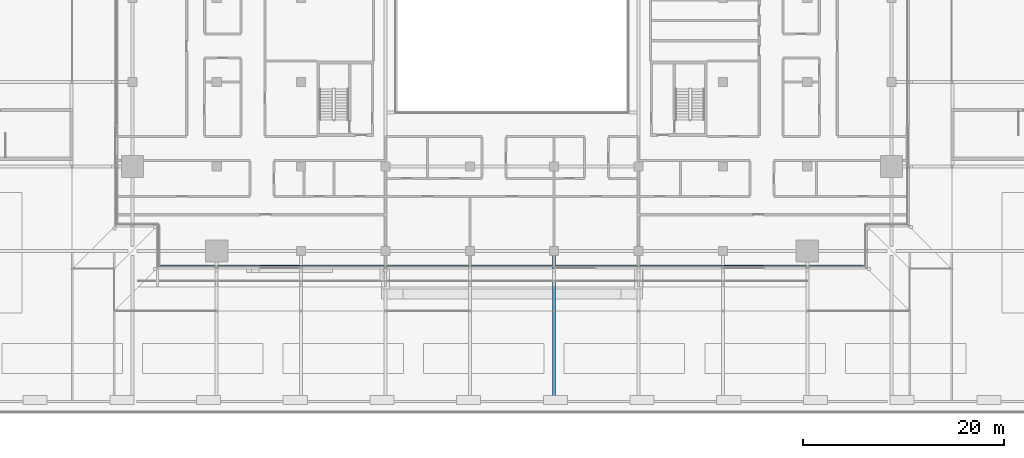
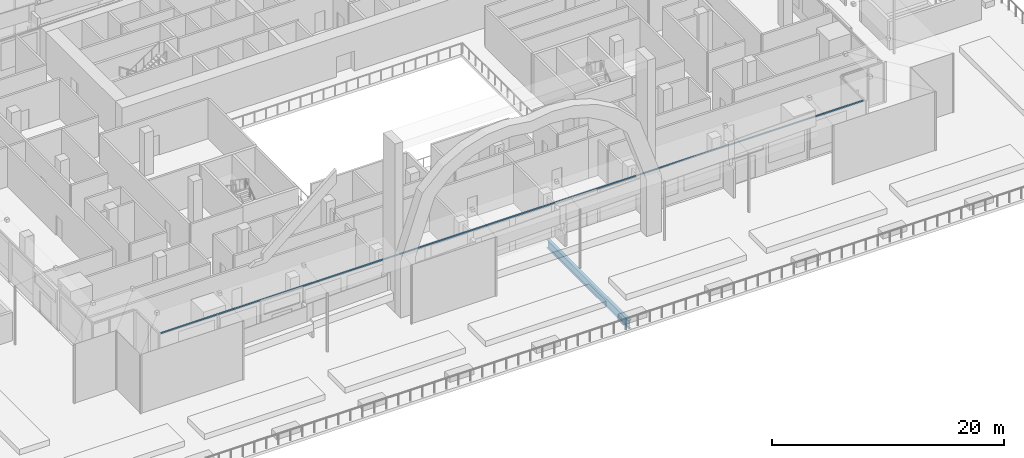
# One storey, part 5 of 60: 1 beam, 1 member, 1 element without a shape of its own.
"""IFC4 building model written with IfcOpenShell, lengths in metres."""

from ifc_helpers import new_model, si_unit, direction, frame, origin, origin_2d, place, context, subcontext, project, spatial, rectangle, i_section, extrude, material, material_profile, profile_set, type_object, element, aggregate, save


model = new_model("IFC4")

# Units and contexts
model_context = context("Model", 3, precision=1e-05, world=origin(), true_north=direction((0.0, 1.0)))
body_context = subcontext(model_context, "Body", "Model", "MODEL_VIEW")
ifc_project = project(units=[si_unit("LENGTHUNIT", "METRE"), si_unit("AREAUNIT", "SQUARE_METRE"), si_unit("VOLUMEUNIT", "CUBIC_METRE"), si_unit("PLANEANGLEUNIT", "RADIAN"), si_unit("MASSUNIT", "GRAM", prefix="KILO")], contexts=[model_context])

# Site, building, storey
site_placement = place(None, origin())
site = spatial("IfcSite", under=ifc_project, at=site_placement, CompositionType="ELEMENT")
building_placement = place(site_placement, origin())
building = spatial("IfcBuilding", under=site, at=building_placement, Name="Saffron Gate Tower", CompositionType="ELEMENT")
storey_placement = place(building_placement, frame((0.0, 0.0, 19.199951171875)))
storey = spatial("IfcBuildingStorey", under=building, at=storey_placement, Name="L03", CompositionType="ELEMENT", Elevation=19.199951171875)

# Beam
ifc_material_1 = material(Name="Structural steel S355", Category="steel")
ifc_material_profile_1 = material_profile(ifc_material_1, i_section(OverallWidth=0.300048828125, OverallDepth=0.889892578125, WebThickness=0.01611328125, FlangeThickness=0.030029296875, FilletRadius=0.030029296875, at=origin_2d()))
ifc_profile_set_1 = profile_set([ifc_material_profile_1], Name="Structural steel S355")
beam_type = type_object("IfcBeamType", Name="B19 HEA 900", PredefinedType="BEAM", material=ifc_profile_set_1)
beam_placement = place(storey_placement, frame((91.800048828125, 17.199951171875, -0.744873046875), z_axis=(0.0, 1.0, 0.0), x_axis=(-1.0, 0.0, 0.0)))
element("IfcBeam", 1, at=beam_placement, inside=storey, type_object=beam_type, Name="B19 PODIUM RING GIRDER", PredefinedType="BEAM", context=body_context, shape_type="SweptSolid", body=[
    extrude(i_section(OverallWidth=0.300048828125, OverallDepth=0.889892578125, WebThickness=0.01611328125, FlangeThickness=0.030029296875, FilletRadius=0.030029296875, at=origin_2d()), origin(), (0.0, 0.0, 1.0), 14.150146484375),
])

# Curtain wall, member
ifc_material_2 = material(Name="Aluminium, bronze anodised", Category="aluminium")
curtain_wall_type = type_object("IfcCurtainWallType", Name="CWS6 curtain wall tall storeys", PredefinedType="NOTDEFINED", material=ifc_material_2)
curtain_wall_placement = place(storey_placement, origin())
curtain_wall = element("IfcCurtainWall", 2, at=curtain_wall_placement, inside=storey, type_object=curtain_wall_type, Name="CWS6 run 1", PredefinedType="NOTDEFINED")
ifc_material_profile_2 = material_profile(ifc_material_2, rectangle(XDim=0.1201171875, YDim=0.1201171875, at=origin_2d()))
ifc_profile_set_2 = profile_set([ifc_material_profile_2], Name="Aluminium, bronze anodised")
member_type = type_object("IfcMemberType", Name="CWS6 head transom", PredefinedType="USERDEFINED", material=ifc_profile_set_2)
member_placement = place(storey_placement, frame((52.60791015625, 30.2880859375, 4.14013671875), z_axis=(1.0, 0.0, 0.0), x_axis=(0.0, 1.0, 0.0)))
member = element("IfcMember", 3, at=member_placement, type_object=member_type, Name="CWS6 head transom", ObjectType="TRANSOM", PredefinedType="USERDEFINED", context=body_context, shape_type="SweptSolid", body=[
    extrude(rectangle(XDim=0.1201171875, YDim=0.1201171875, at=origin_2d()), origin(), (0.0, 0.0, 1.0), 69.984130859375),
])
aggregate(curtain_wall, [member])

save(model, "model.ifc")
